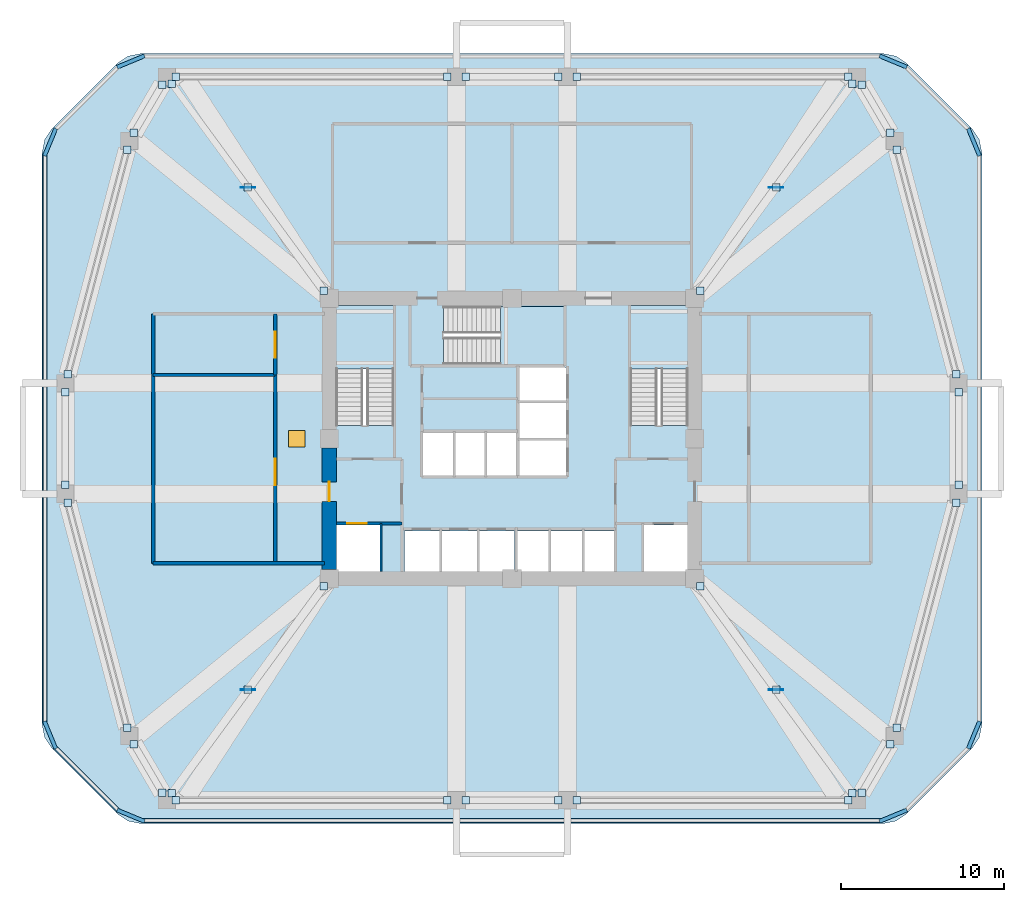
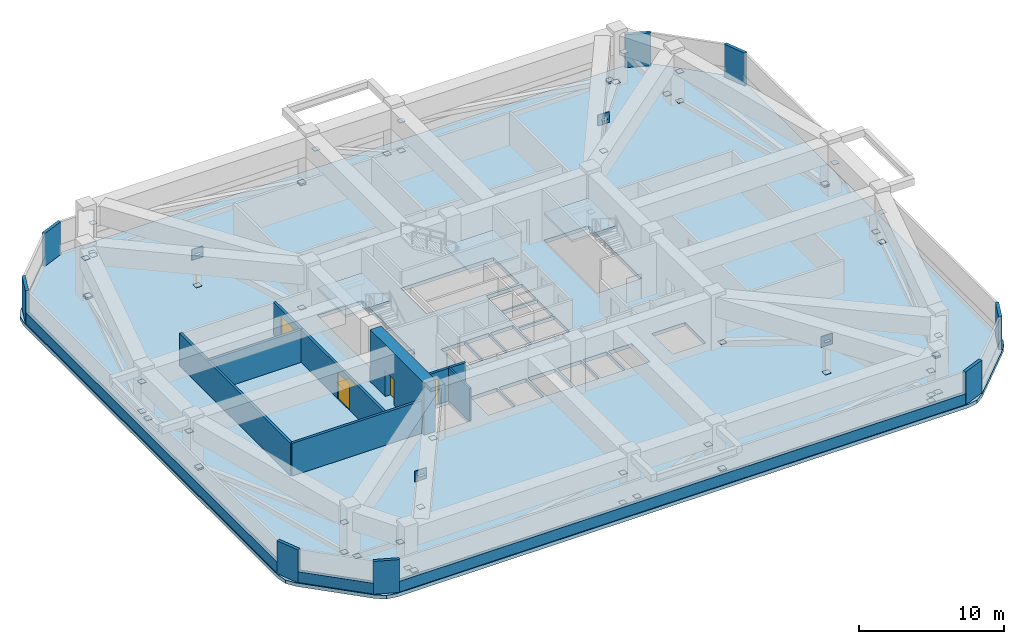
# One storey, part 4 of 10: 76 plates, 11 walls, 5 doors, 4 slabs, 5 openings, 3 elements without a shape of their own.
"""IFC4 building model written with IfcOpenShell, lengths in metres."""

from ifc_helpers import new_model, si_unit, derived_unit, direction, frame, frame_2d, origin, origin_2d, place, context, subcontext, project, spatial, polyline, rectangle, outline, extrude, material, layer, layer_set, type_object, element, fill, aggregate, save


model = new_model("IFC4")

# Units and contexts
model_context = context("Model", 3, precision=1e-05, world=origin(), true_north=direction((0.0, 1.0)))
body_context = subcontext(model_context, "Body", "Model", "MODEL_VIEW")
ifc_project = project(units=[si_unit("LENGTHUNIT", "METRE"), si_unit("AREAUNIT", "SQUARE_METRE"), si_unit("VOLUMEUNIT", "CUBIC_METRE"), si_unit("PLANEANGLEUNIT", "RADIAN"), si_unit("MASSUNIT", "GRAM", prefix="KILO"), derived_unit("THERMALTRANSMITTANCEUNIT", [(si_unit("POWERUNIT", "WATT"), 1), (si_unit("LENGTHUNIT", "METRE"), -2), (si_unit("THERMODYNAMICTEMPERATUREUNIT", "KELVIN"), -1)])], contexts=[model_context])

# Site, building, storey
site_placement = place(None, origin())
site = spatial("IfcSite", under=ifc_project, at=site_placement, CompositionType="ELEMENT")
building_placement = place(site_placement, origin())
building = spatial("IfcBuilding", under=site, at=building_placement, Name="Koralith Skygarden Medical Center", CompositionType="ELEMENT")
storey_placement = place(building_placement, frame((0.0, 0.0, 70.739990234375)))
storey = spatial("IfcBuildingStorey", under=building, at=storey_placement, Name="L18", CompositionType="ELEMENT", Elevation=70.739990234375)

# Stair, slab
ifc_material_1 = material(Name="Concrete C45/55", Category="concrete")
stair_type = type_object("IfcStairType", Name="Core Exit Dogleg Concrete Stair", PredefinedType="HALF_TURN_STAIR", material=ifc_material_1)
stair_1_placement = place(storey_placement, origin())
stair_1 = element("IfcStair", 1, at=stair_1_placement, inside=storey, type_object=stair_type, Name="L18 Smokeproof Exit Stair ST1", PredefinedType="HALF_TURN_STAIR")
ifc_layer_1 = layer(ifc_material_1, 0.199951171875)
ifc_layer_set_1 = layer_set([ifc_layer_1], Name="Concrete C45/55")
slab_type_1 = type_object("IfcSlabType", Name="Core Exit Concrete Stair Landing 200", PredefinedType="LANDING", material=ifc_layer_set_1)
slab_1_placement = place(storey_placement, frame((0.0, 0.0, 2.139892578125)))
slab_1 = element("IfcSlab", 2, at=slab_1_placement, type_object=slab_type_1, Name="ST1 landing 1", PredefinedType="LANDING", context=body_context, shape_type="SweptSolid", body=[
    extrude(outline(polyline([(29.75, 30.179931640625), (29.75, 34.050048828125), (26.199951171875, 34.050048828125), (26.199951171875, 30.179931640625), (29.75, 30.179931640625)])), origin(), (0.0, 0.0, 1.0), 0.2001953125),
])
aggregate(stair_1, [slab_1])

stair_2_placement = place(storey_placement, origin())
stair_2 = element("IfcStair", 3, at=stair_2_placement, inside=storey, type_object=stair_type, Name="L18 Smokeproof Exit Stair ST2", PredefinedType="HALF_TURN_STAIR")
slab_2_placement = place(storey_placement, frame((0.0, 0.0, 2.139892578125)))
slab_2 = element("IfcSlab", 4, at=slab_2_placement, type_object=slab_type_1, Name="ST2 landing 1", PredefinedType="LANDING", context=body_context, shape_type="SweptSolid", body=[
    extrude(outline(polyline([(47.800048828125, 30.179931640625), (47.800048828125, 34.050048828125), (44.25, 34.050048828125), (44.25, 30.179931640625), (47.800048828125, 30.179931640625)])), origin(), (0.0, 0.0, 1.0), 0.2001953125),
])
aggregate(stair_2, [slab_2])

stair_3_placement = place(storey_placement, origin())
stair_3 = element("IfcStair", 5, at=stair_3_placement, inside=storey, type_object=stair_type, Name="L18 Smokeproof Exit Stair ST3", PredefinedType="HALF_TURN_STAIR")
slab_3_placement = place(storey_placement, frame((0.0, 0.0, 2.139892578125)))
slab_3 = element("IfcSlab", 6, at=slab_3_placement, type_object=slab_type_1, Name="ST3 landing 1", PredefinedType="LANDING", context=body_context, shape_type="SweptSolid", body=[
    extrude(outline(polyline([(36.280029296875, 30.449951171875), (40.199951171875, 30.449951171875), (40.199951171875, 34.0), (36.280029296875, 34.0), (36.280029296875, 30.449951171875)])), origin(), (0.0, 0.0, 1.0), 0.2001953125),
])
aggregate(stair_3, [slab_3])

# Plates
ifc_material_2 = material(Name="Steel ASTM A572 Grade 50", Category="steel")
ifc_layer_2 = layer(ifc_material_2, 0.02490234375)
ifc_layer_set_2 = layer_set([ifc_layer_2], Name="Steel ASTM A572 Grade 50")
plate_type_1 = type_object("IfcPlateType", Name="Hollow Section End Cap Plate 25", PredefinedType="SHEET", material=ifc_layer_set_2)
for number, where, z_axis, x_axis, name in (
    (7, (25.462890625, 16.840087890625, 0.337646484375), (0.0, 0.0, 1.0), (1.0, 0.0, 0.0), "L18 Outrigger End Cap 01A"),
    (8, (20.80810546875, 10.498046875, 2.717529296875), (0.0, 0.0, 1.0), (1.0, 0.0, 0.0), "L18 Outrigger Apex Cap 01M"),
    (9, (16.152099609375, 4.155029296875, 0.337646484375), (0.0, 0.0, 1.0), (1.0, 0.0, 0.0), "L18 Outrigger End Cap 01B"),
    (10, (20.80810546875, 10.498046875, 0.007568359375), (0.0, 0.0, 1.0), (1.0, 0.0, 0.0), "L18 Outrigger Post Base Plate 01"),
    (11, (48.537109375, 16.840087890625, 0.337646484375), (0.0, 0.0, 1.0), (1.0, 0.0, 0.0), "L18 Outrigger End Cap 02A"),
    (12, (53.19189453125, 10.498046875, 2.717529296875), (0.0, 0.0, 1.0), (1.0, 0.0, 0.0), "L18 Outrigger Apex Cap 02M"),
    (13, (57.847900390625, 4.155029296875, 0.337646484375), (0.0, 0.0, 1.0), (1.0, 0.0, 0.0), "L18 Outrigger End Cap 02B"),
    (14, (53.19189453125, 10.498046875, 0.007568359375), (0.0, 0.0, 1.0), (1.0, 0.0, 0.0), "L18 Outrigger Post Base Plate 02"),
    (15, (48.537109375, 34.9599609375, 0.337646484375), (0.0, 0.0, 1.0), (1.0, 0.0, 0.0), "L18 Outrigger End Cap 03A"),
    (16, (53.19189453125, 41.302978515625, 2.717529296875), (0.0, 0.0, 1.0), (1.0, 0.0, 0.0), "L18 Outrigger Apex Cap 03M"),
    (17, (57.847900390625, 47.64501953125, 0.337646484375), (0.0, 0.0, 1.0), (1.0, 0.0, 0.0), "L18 Outrigger End Cap 03B"),
    (18, (53.19189453125, 41.302978515625, 0.007568359375), (0.0, 0.0, 1.0), (1.0, 0.0, 0.0), "L18 Outrigger Post Base Plate 03"),
    (19, (25.462890625, 34.9599609375, 0.337646484375), (0.0, 0.0, 1.0), (1.0, 0.0, 0.0), "L18 Outrigger End Cap 04A"),
    (20, (20.80810546875, 41.302978515625, 2.717529296875), (0.0, 0.0, 1.0), (1.0, 0.0, 0.0), "L18 Outrigger Apex Cap 04M"),
    (21, (16.152099609375, 47.64501953125, 0.337646484375), (0.0, 0.0, 1.0), (1.0, 0.0, 0.0), "L18 Outrigger End Cap 04B"),
    (22, (20.80810546875, 41.302978515625, 0.007568359375), (0.0, 0.0, 1.0), (1.0, 0.0, 0.0), "L18 Outrigger Post Base Plate 04"),
    (23, (9.762939453125, 21.958984375, 0.337646484375), (0.0, 0.0, 1.0), (1.0, 0.0, 0.0), "L18 Belt Brace Cap 01A"),
    (24, (13.39697265625, 8.180908203125, 2.717529296875), (0.0, 0.0, 1.0), (1.0, 0.0, 0.0), "L18 Belt Brace Cap 01B"),
    (25, (9.762939453125, 21.958984375, 0.20751953125), (0.0, 0.0, 1.0), (1.0, 0.0, 0.0), "L18 Belt Chord Cap 01A"),
    (26, (13.39697265625, 8.180908203125, 0.20751953125), (0.0, 0.0, 1.0), (1.0, 0.0, 0.0), "L18 Belt Chord Cap 01B"),
    (27, (13.822998046875, 7.156982421875, 0.337646484375), (0.0, 0.0, 1.0), (1.0, 0.0, 0.0), "L18 Belt Brace Cap 02A"),
    (28, (15.549072265625, 4.202880859375, 2.717529296875), (0.0, 0.0, 1.0), (1.0, 0.0, 0.0), "L18 Belt Brace Cap 02B"),
    (29, (16.39208984375, 3.719970703125, 0.337646484375), (0.0, 0.0, 1.0), (1.0, 0.0, 0.0), "L18 Belt Brace Cap 03A"),
    (30, (33.0400390625, 3.719970703125, 2.717529296875), (0.0, 0.0, 1.0), (1.0, 0.0, 0.0), "L18 Belt Brace Cap 03B"),
    (31, (16.39208984375, 3.719970703125, 0.20751953125), (0.0, 0.0, 1.0), (1.0, 0.0, 0.0), "L18 Belt Chord Cap 03A"),
    (32, (33.0400390625, 3.719970703125, 0.20751953125), (0.0, 0.0, 1.0), (1.0, 0.0, 0.0), "L18 Belt Chord Cap 03B"),
    (33, (34.159912109375, 3.719970703125, 0.337646484375), (0.0, 0.0, 1.0), (1.0, 0.0, 0.0), "L18 Belt Brace Cap 04A"),
    (34, (39.840087890625, 3.719970703125, 2.717529296875), (0.0, 0.0, 1.0), (1.0, 0.0, 0.0), "L18 Belt Brace Cap 04B"),
    (35, (40.9599609375, 3.719970703125, 0.337646484375), (0.0, 0.0, 1.0), (1.0, 0.0, 0.0), "L18 Belt Brace Cap 05A"),
    (36, (57.60791015625, 3.719970703125, 2.717529296875), (0.0, 0.0, 1.0), (1.0, 0.0, 0.0), "L18 Belt Brace Cap 05B"),
    (37, (40.9599609375, 3.719970703125, 0.20751953125), (0.0, 0.0, 1.0), (1.0, 0.0, 0.0), "L18 Belt Chord Cap 05A"),
    (38, (57.60791015625, 3.719970703125, 0.20751953125), (0.0, 0.0, 1.0), (1.0, 0.0, 0.0), "L18 Belt Chord Cap 05B"),
    (39, (58.450927734375, 4.202880859375, 0.337646484375), (0.0, 0.0, 1.0), (1.0, 0.0, 0.0), "L18 Belt Brace Cap 06A"),
    (40, (60.177001953125, 7.156982421875, 2.717529296875), (0.0, 0.0, 1.0), (1.0, 0.0, 0.0), "L18 Belt Brace Cap 06B"),
    (41, (60.60302734375, 8.180908203125, 0.337646484375), (0.0, 0.0, 1.0), (1.0, 0.0, 0.0), "L18 Belt Brace Cap 07A"),
    (42, (64.237060546875, 21.958984375, 2.717529296875), (0.0, 0.0, 1.0), (1.0, 0.0, 0.0), "L18 Belt Brace Cap 07B"),
    (43, (60.60302734375, 8.180908203125, 0.20751953125), (0.0, 0.0, 1.0), (1.0, 0.0, 0.0), "L18 Belt Chord Cap 07A"),
    (44, (64.237060546875, 21.958984375, 0.20751953125), (0.0, 0.0, 1.0), (1.0, 0.0, 0.0), "L18 Belt Chord Cap 07B"),
    (45, (64.3798828125, 23.06005859375, 0.337646484375), (0.0, 0.0, 1.0), (1.0, 0.0, 0.0), "L18 Belt Brace Cap 08A"),
    (46, (64.3798828125, 28.739990234375, 2.717529296875), (0.0, 0.0, 1.0), (1.0, 0.0, 0.0), "L18 Belt Brace Cap 08B"),
    (47, (64.237060546875, 29.841064453125, 0.337646484375), (0.0, 0.0, 1.0), (1.0, 0.0, 0.0), "L18 Belt Brace Cap 09A"),
    (48, (60.60302734375, 43.618896484375, 2.717529296875), (0.0, 0.0, 1.0), (1.0, 0.0, 0.0), "L18 Belt Brace Cap 09B"),
    (49, (64.237060546875, 29.841064453125, 0.20751953125), (0.0, 0.0, 1.0), (1.0, 0.0, 0.0), "L18 Belt Chord Cap 09A"),
    (50, (60.60302734375, 43.618896484375, 0.20751953125), (0.0, 0.0, 1.0), (1.0, 0.0, 0.0), "L18 Belt Chord Cap 09B"),
    (51, (60.177001953125, 44.64306640625, 0.337646484375), (0.0, 0.0, 1.0), (1.0, 0.0, 0.0), "L18 Belt Brace Cap 10A"),
    (52, (58.450927734375, 47.596923828125, 2.717529296875), (0.0, 0.0, 1.0), (1.0, 0.0, 0.0), "L18 Belt Brace Cap 10B"),
    (53, (57.60791015625, 48.080078125, 0.337646484375), (0.0, 0.0, 1.0), (1.0, 0.0, 0.0), "L18 Belt Brace Cap 11A"),
    (54, (40.9599609375, 48.080078125, 2.717529296875), (0.0, 0.0, 1.0), (1.0, 0.0, 0.0), "L18 Belt Brace Cap 11B"),
    (55, (57.60791015625, 48.080078125, 0.20751953125), (0.0, 0.0, 1.0), (1.0, 0.0, 0.0), "L18 Belt Chord Cap 11A"),
    (56, (40.9599609375, 48.080078125, 0.20751953125), (0.0, 0.0, 1.0), (1.0, 0.0, 0.0), "L18 Belt Chord Cap 11B"),
    (57, (39.840087890625, 48.080078125, 0.337646484375), (0.0, 0.0, 1.0), (1.0, 0.0, 0.0), "L18 Belt Brace Cap 12A"),
    (58, (34.159912109375, 48.080078125, 2.717529296875), (0.0, 0.0, 1.0), (1.0, 0.0, 0.0), "L18 Belt Brace Cap 12B"),
    (59, (33.0400390625, 48.080078125, 0.337646484375), (0.0, 0.0, 1.0), (1.0, 0.0, 0.0), "L18 Belt Brace Cap 13A"),
    (60, (16.39208984375, 48.080078125, 2.717529296875), (0.0, 0.0, 1.0), (1.0, 0.0, 0.0), "L18 Belt Brace Cap 13B"),
    (61, (33.0400390625, 48.080078125, 0.20751953125), (0.0, 0.0, 1.0), (1.0, 0.0, 0.0), "L18 Belt Chord Cap 13A"),
    (62, (16.39208984375, 48.080078125, 0.20751953125), (0.0, 0.0, 1.0), (1.0, 0.0, 0.0), "L18 Belt Chord Cap 13B"),
    (63, (15.549072265625, 47.596923828125, 0.337646484375), (0.0, 0.0, 1.0), (1.0, 0.0, 0.0), "L18 Belt Brace Cap 14A"),
    (64, (13.822998046875, 44.64306640625, 2.717529296875), (0.0, 0.0, 1.0), (1.0, 0.0, 0.0), "L18 Belt Brace Cap 14B"),
    (65, (13.39697265625, 43.618896484375, 0.337646484375), (0.0, 0.0, 1.0), (1.0, 0.0, 0.0), "L18 Belt Brace Cap 15A"),
    (66, (9.762939453125, 29.841064453125, 2.717529296875), (0.0, 0.0, 1.0), (1.0, 0.0, 0.0), "L18 Belt Brace Cap 15B"),
    (67, (13.39697265625, 43.618896484375, 0.20751953125), (0.0, 0.0, 1.0), (1.0, 0.0, 0.0), "L18 Belt Chord Cap 15A"),
    (68, (9.762939453125, 29.841064453125, 0.20751953125), (0.0, 0.0, 1.0), (1.0, 0.0, 0.0), "L18 Belt Chord Cap 15B"),
    (69, (9.6201171875, 28.739990234375, 0.337646484375), (0.0, 0.0, 1.0), (1.0, 0.0, 0.0), "L18 Belt Brace Cap 16A"),
    (70, (9.6201171875, 23.06005859375, 2.717529296875), (0.0, 0.0, 1.0), (1.0, 0.0, 0.0), "L18 Belt Brace Cap 16B"),
):
    element("IfcPlate", number, at=place(storey_placement, frame(where, z_axis=z_axis, x_axis=x_axis)), inside=storey, type_object=plate_type_1, Name=name, PredefinedType="SHEET", context=body_context, shape_type="SweptSolid", body=[
        extrude(rectangle(XDim=0.4599609375, YDim=0.4599609375, at=origin_2d()), origin(), (0.0, 0.0, 1.0), 0.02490234375),
    ])
ifc_layer_3 = layer(ifc_material_2, 0.0400390625)
ifc_layer_set_3 = layer_set([ifc_layer_3], Name="Steel ASTM A572 Grade 50")
plate_type_2 = type_object("IfcPlateType", Name="Outrigger Truss Gusset Plate 40", PredefinedType="USERDEFINED", material=ifc_layer_set_3)
for number, where, z_axis, x_axis, name in (
    (71, (20.80810546875, 10.498046875, 2.280029296875), (0.0, 0.0, 1.0), (1.0, 0.0, 0.0), "L18 Outrigger Node Gusset Plate ORG-01"),
    (72, (53.19189453125, 10.498046875, 2.280029296875), (0.0, 0.0, 1.0), (1.0, 0.0, 0.0), "L18 Outrigger Node Gusset Plate ORG-02"),
    (73, (53.19189453125, 41.302978515625, 2.280029296875), (0.0, 0.0, 1.0), (1.0, 0.0, 0.0), "L18 Outrigger Node Gusset Plate ORG-03"),
    (74, (20.80810546875, 41.302978515625, 2.280029296875), (0.0, 0.0, 1.0), (1.0, 0.0, 0.0), "L18 Outrigger Node Gusset Plate ORG-04"),
):
    element("IfcPlate", number, at=place(storey_placement, frame(where, z_axis=z_axis, x_axis=x_axis)), inside=storey, type_object=plate_type_2, Name=name, ObjectType="GUSSET_PLATE", PredefinedType="USERDEFINED", context=body_context, shape_type="SweptSolid", body=[
        extrude(rectangle(XDim=0.89990234375, YDim=0.0400390625, at=origin_2d()), origin(), (0.0, 0.0, 1.0), 0.89990234375),
    ])

# Slab, opening, door
ifc_layer_4 = layer(ifc_material_1, 0.300048828125)
ifc_layer_set_4 = layer_set([ifc_layer_4], Name="Concrete C45/55")
slab_type_2 = type_object("IfcSlabType", Name="Podium & Diagnostic Stiffened Slab 300", PredefinedType="FLOOR", material=ifc_layer_set_4)
slab_4_placement = place(storey_placement, frame((0.0, 0.0, -0.300048828125)))
slab_4 = element("IfcSlab", 75, at=slab_4_placement, inside=storey, type_object=slab_type_2, Name="Level L18 Structural Floor Slab", PredefinedType="FLOOR", context=body_context, shape_type="SweptSolid", body=[
    extrude(outline(polyline([(12.81396484375, 2.885986328125), (13.462890625, 2.451904296875), (14.22802734375, 2.300048828125), (59.77197265625, 2.300048828125), (60.537109375, 2.451904296875), (61.18603515625, 2.885986328125), (65.214111328125, 6.9140625), (65.64794921875, 7.56298828125), (65.800048828125, 8.327880859375), (65.800048828125, 43.471923828125), (65.64794921875, 44.237060546875), (65.214111328125, 44.885986328125), (61.18603515625, 48.9140625), (60.537109375, 49.347900390625), (59.77197265625, 49.5), (14.22802734375, 49.5), (13.462890625, 49.347900390625), (12.81396484375, 48.9140625), (8.785888671875, 44.885986328125), (8.35205078125, 44.237060546875), (8.199951171875, 43.471923828125), (8.199951171875, 8.327880859375), (8.35205078125, 7.56298828125), (8.785888671875, 6.9140625), (12.81396484375, 2.885986328125)]), holes=[polyline([(26.199951171875, 26.705078125), (29.75, 26.705078125), (29.75, 34.050048828125), (26.199951171875, 34.050048828125), (26.199951171875, 26.705078125)]), polyline([(44.25, 26.705078125), (47.800048828125, 26.705078125), (47.800048828125, 34.050048828125), (44.25, 34.050048828125), (44.25, 26.705078125)]), polyline([(32.804931640625, 30.449951171875), (40.199951171875, 30.449951171875), (40.199951171875, 34.0), (32.804931640625, 34.0), (32.804931640625, 30.449951171875)]), polyline([(26.25, 17.75), (28.89990234375, 17.75), (28.89990234375, 20.60009765625), (26.25, 20.60009765625), (26.25, 17.75)]), polyline([(45.10009765625, 17.75), (47.75, 17.75), (47.75, 20.60009765625), (45.10009765625, 20.60009765625), (45.10009765625, 17.75)]), polyline([(30.39990234375, 17.75), (32.550048828125, 17.75), (32.550048828125, 20.25), (30.39990234375, 20.25), (30.39990234375, 17.75)]), polyline([(32.699951171875, 17.75), (34.85009765625, 17.75), (34.85009765625, 20.25), (32.699951171875, 20.25), (32.699951171875, 17.75)]), polyline([(35.0, 17.75), (37.14990234375, 17.75), (37.14990234375, 20.25), (35.0, 20.25), (35.0, 17.75)]), polyline([(37.35009765625, 17.75), (39.25, 17.75), (39.25, 20.25), (37.35009765625, 20.25), (37.35009765625, 17.75)]), polyline([(39.39990234375, 17.75), (41.300048828125, 17.75), (41.300048828125, 20.25), (39.39990234375, 20.25), (39.39990234375, 17.75)]), polyline([(41.449951171875, 17.75), (43.300048828125, 17.75), (43.300048828125, 20.25), (41.449951171875, 20.25), (41.449951171875, 17.75)]), polyline([(31.550048828125, 23.64990234375), (33.39990234375, 23.64990234375), (33.39990234375, 26.25), (31.550048828125, 26.25), (31.550048828125, 23.64990234375)]), polyline([(33.5, 23.64990234375), (35.35009765625, 23.64990234375), (35.35009765625, 26.25), (33.5, 26.25), (33.5, 23.64990234375)]), polyline([(35.449951171875, 23.64990234375), (37.300048828125, 23.64990234375), (37.300048828125, 26.25), (35.449951171875, 26.25), (35.449951171875, 23.64990234375)]), polyline([(37.449951171875, 23.64990234375), (40.300048828125, 23.64990234375), (40.300048828125, 25.800048828125), (37.449951171875, 25.800048828125), (37.449951171875, 23.64990234375)]), polyline([(37.449951171875, 25.949951171875), (40.300048828125, 25.949951171875), (40.300048828125, 28.10009765625), (37.449951171875, 28.10009765625), (37.449951171875, 25.949951171875)]), polyline([(37.449951171875, 28.25), (40.300048828125, 28.25), (40.300048828125, 30.25), (37.449951171875, 30.25), (37.449951171875, 28.25)])]), origin(), (0.0, 0.0, 1.0), 0.300048828125),
])
opening_1_placement = place(slab_4_placement, frame((23.800048828125, 25.89990234375, -0.010009765625)))
opening_1 = element("IfcOpeningElement", 76, at=opening_1_placement, cuts=slab_4, Name="Opening D-HAT", PredefinedType="OPENING", context=body_context, shape_type="SweptSolid", body=[
    extrude(rectangle(XDim=1.0, YDim=1.0, at=origin_2d()), origin(), (0.0, 0.0, 1.0), 0.320068359375),
])
ifc_material_3 = material(Name="Steel ASTM A500 Grade C", Category="steel")
door_type_1 = type_object("IfcDoorType", Name="Roof & Shaft Maintenance Access Hatch H-RF 1000", OperationType="NOTDEFINED", PredefinedType="TRAPDOOR", material=ifc_material_3)
door_1_placement = place(opening_1_placement, frame((0.0, 0.0, 0.2900390625)))
door_1 = element("IfcDoor", 77, at=door_1_placement, inside=storey, type_object=door_type_1, Name="L18 Service Access Hatch H-02", OperationType="SINGLE_SWING_LEFT", OverallHeight=1.0, OverallWidth=1.0, PredefinedType="TRAPDOOR", context=body_context, shape_type="SweptSolid", body=[
    extrude(rectangle(XDim=1.0, YDim=1.0, at=origin_2d()), origin(), (0.0, 0.0, 1.0), 0.02001953125),
])
fill(opening_1, door_1)

# Plates
ifc_material_4 = material(Name="Warm Oolitic Limestone Cladding", Category="masonry")
ifc_layer_5 = layer(ifc_material_4, 0.239990234375)
ifc_layer_set_5 = layer_set([ifc_layer_5], Name="Warm Oolitic Limestone Cladding")
plate_type_3 = type_object("IfcPlateType", Name="Rounded-Corner Oolitic Limestone Cladding Panel 240", PredefinedType="USERDEFINED", material=ifc_layer_set_5)
for number, where, z_axis, x_axis, name in (
    (78, (60.3701171875, 2.780029296875, 0.0), (0.0, 0.0, 1.0), (0.92388487569, 0.382670532536, 0.0), "L18 Rounded-Corner Limestone Pier 1"),
    (79, (65.320068359375, 7.72900390625, 0.0), (0.0, 0.0, 1.0), (0.382670532536, 0.92388487569, 0.0), "L18 Rounded-Corner Limestone Pier 2"),
    (80, (65.320068359375, 44.070068359375, 0.0), (0.0, 0.0, 1.0), (-0.382670532536, 0.92388487569, 0.0), "L18 Rounded-Corner Limestone Pier 3"),
    (81, (60.3701171875, 49.02001953125, 0.0), (0.0, 0.0, 1.0), (-0.92388487569, 0.382670532536, 0.0), "L18 Rounded-Corner Limestone Pier 4"),
    (82, (13.6298828125, 49.02001953125, 0.0), (0.0, 0.0, 1.0), (-0.92388487569, -0.382670532536, 0.0), "L18 Rounded-Corner Limestone Pier 5"),
    (83, (8.680908203125, 44.070068359375, 0.0), (0.0, 0.0, 1.0), (-0.382670532536, -0.92388487569, 0.0), "L18 Rounded-Corner Limestone Pier 6"),
    (84, (8.680908203125, 7.72900390625, 0.0), (0.0, 0.0, 1.0), (0.382670532536, -0.92388487569, 0.0), "L18 Rounded-Corner Limestone Pier 7"),
    (85, (13.6298828125, 2.780029296875, 0.0), (0.0, 0.0, 1.0), (0.92388487569, -0.382670532536, 0.0), "L18 Rounded-Corner Limestone Pier 8"),
):
    element("IfcPlate", number, at=place(storey_placement, frame(where, z_axis=z_axis, x_axis=x_axis)), inside=storey, type_object=plate_type_3, Name=name, ObjectType="LIMESTONE CLADDING", PredefinedType="USERDEFINED", context=body_context, shape_type="SweptSolid", body=[
        extrude(rectangle(XDim=1.81103515625, YDim=0.239990234375, at=origin_2d()), origin(), (0.0, 0.0, 1.0), 2.77001953125),
    ])

# Wall, opening, door
ifc_material_5 = material(Name="Gypsum Board Partition")
ifc_layer_6 = layer(ifc_material_5, 0.199951171875)
ifc_layer_set_6 = layer_set([ifc_layer_6], Name="Gypsum Board Partition")
wall_type_1 = type_object("IfcWallType", Name="Fire Shaft Wall 200", PredefinedType="SOLIDWALL", material=ifc_layer_set_6)
wall_1_placement = place(storey_placement, frame((26.25, 20.699951171875, 0.0), z_axis=(0.0, 0.0, 1.0), x_axis=(1.0, 0.0, 0.0)))
wall_1 = element("IfcWall", 86, at=wall_1_placement, inside=storey, type_object=wall_type_1, Name="L18 Fire Shaft Wall 200 W-CORE-L18-FF1-N", PredefinedType="SOLIDWALL", context=body_context, shape_type="SweptSolid", body=[
    extrude(rectangle(XDim=4.0, YDim=0.199951171875, at=frame_2d((2.0, 0.0))), origin(), (0.0, 0.0, 1.0), 2.75),
])
opening_2_placement = place(wall_1_placement, frame((0.64990234375, 0.0, 0.0)))
opening_2 = element("IfcOpeningElement", 87, at=opening_2_placement, cuts=wall_1, Name="Opening LD-FF", PredefinedType="OPENING", context=body_context, shape_type="SweptSolid", body=[
    extrude(rectangle(XDim=1.199951171875, YDim=2.14990234375, at=frame_2d((0.60009765625, 1.074951171875))), frame((0.0, 0.10986328125, 0.0), z_axis=(0.0, -1.0, 0.0), x_axis=(1.0, 0.0, 0.0)), (0.0, 0.0, 1.0), 0.219970703125),
])
door_type_2 = type_object("IfcDoorType", Name="Fire Lift Sliding Landing Door LD-FF 1200", OperationType="NOTDEFINED", PredefinedType="DOOR", material=ifc_material_3)
door_2_placement = place(opening_2_placement, origin())
door_2 = element("IfcDoor", 88, at=door_2_placement, inside=storey, type_object=door_type_2, Name="L18 Fire Service Elevator FF1 Landing Door", OperationType="SLIDING_TO_LEFT", OverallHeight=2.14990234375, OverallWidth=1.199951171875, PredefinedType="DOOR", context=body_context, shape_type="SweptSolid", body=[
    extrude(rectangle(XDim=1.199951171875, YDim=2.14990234375, at=frame_2d((0.60009765625, 1.074951171875))), frame((0.0, 0.02490234375, 0.0), z_axis=(0.0, -1.0, 0.0), x_axis=(1.0, 0.0, 0.0)), (0.0, 0.0, 1.0), 0.050048828125),
])
fill(opening_2, door_2)

# Walls
wall_2_placement = place(storey_placement, frame((15.0, 18.25, 0.0), z_axis=(0.0, 0.0, 1.0), x_axis=(1.0, 0.0, 0.0)))
element("IfcWall", 89, at=wall_2_placement, inside=storey, type_object=wall_type_1, Name="L18 Fire Shaft Wall 200 W-PL-L18-WC-S", PredefinedType="SOLIDWALL", context=body_context, shape_type="SweptSolid", body=[
    extrude(rectangle(XDim=10.5, YDim=0.199951171875, at=frame_2d((5.25, 0.0))), origin(), (0.0, 0.0, 1.0), 2.75),
])
wall_3_placement = place(storey_placement, frame((15.0, 18.25, 0.0), z_axis=(0.0, 0.0, 1.0), x_axis=(0.0, 1.0, 0.0)))
element("IfcWall", 90, at=wall_3_placement, inside=storey, type_object=wall_type_1, Name="L18 Fire Shaft Wall 200 W-PL-L18-WP-W", PredefinedType="SOLIDWALL", context=body_context, shape_type="SweptSolid", body=[
    extrude(rectangle(XDim=15.300048828125, YDim=0.199951171875, at=frame_2d((7.64990234375, 0.0))), origin(), (0.0, 0.0, 1.0), 2.75),
])
wall_4_placement = place(storey_placement, frame((15.0, 29.800048828125, 0.0), z_axis=(0.0, 0.0, 1.0), x_axis=(1.0, 0.0, 0.0)))
element("IfcWall", 91, at=wall_4_placement, inside=storey, type_object=wall_type_1, Name="L18 Fire Shaft Wall 200 W-PL-L18-WP-M", PredefinedType="SOLIDWALL", context=body_context, shape_type="SweptSolid", body=[
    extrude(rectangle(XDim=7.47998046875, YDim=0.199951171875, at=frame_2d((3.739990234375, 0.0))), origin(), (0.0, 0.0, 1.0), 2.75),
])

# Wall, opening, door
wall_5_placement = place(storey_placement, frame((22.47998046875, 18.25, 0.0), z_axis=(0.0, 0.0, 1.0), x_axis=(0.0, 1.0, 0.0)))
wall_5 = element("IfcWall", 92, at=wall_5_placement, inside=storey, type_object=wall_type_1, Name="L18 Fire Shaft Wall 200 W-PL-L18-WC-W1", PredefinedType="SOLIDWALL", context=body_context, shape_type="SweptSolid", body=[
    extrude(rectangle(XDim=11.550048828125, YDim=0.199951171875, at=frame_2d((5.77490234375, 0.0))), origin(), (0.0, 0.0, 1.0), 2.75),
])
opening_3_placement = place(wall_5_placement, frame((4.800048828125, 0.0, 0.0)))
opening_3 = element("IfcOpeningElement", 93, at=opening_3_placement, cuts=wall_5, Name="Opening D-DBL", PredefinedType="OPENING", context=body_context, shape_type="SweptSolid", body=[
    extrude(rectangle(XDim=1.60009765625, YDim=2.199951171875, at=frame_2d((0.800048828125, 1.10009765625))), frame((0.0, 0.10986328125, 0.0), z_axis=(0.0, -1.0, 0.0), x_axis=(1.0, 0.0, 0.0)), (0.0, 0.0, 1.0), 0.219970703125),
])
ifc_material_6 = material(Name="Aluminium 6063-T6", Category="aluminium")
door_type_3 = type_object("IfcDoorType", Name="Double Clinical Suite Door D-DBL 1600", OperationType="NOTDEFINED", PredefinedType="DOOR", material=ifc_material_6)
door_3_placement = place(opening_3_placement, frame((1.60009765625, 0.0, 0.0), z_axis=(0.0, 0.0, 1.0), x_axis=(-1.0, 0.0, 0.0)))
door_3 = element("IfcDoor", 94, at=door_3_placement, inside=storey, type_object=door_type_3, Name="L18 West Pressurized Smoke Refuge Area Fire Door", OperationType="DOUBLE_DOOR_SINGLE_SWING", OverallHeight=2.199951171875, OverallWidth=1.60009765625, PredefinedType="DOOR", context=body_context, shape_type="SweptSolid", body=[
    extrude(rectangle(XDim=1.60009765625, YDim=2.199951171875, at=frame_2d((0.800048828125, 1.10009765625))), frame((0.0, 0.02490234375, 0.0), z_axis=(0.0, -1.0, 0.0), x_axis=(1.0, 0.0, 0.0)), (0.0, 0.0, 1.0), 0.050048828125),
])
fill(opening_3, door_3)

wall_6_placement = place(storey_placement, frame((22.47998046875, 29.800048828125, 0.0), z_axis=(0.0, 0.0, 1.0), x_axis=(0.0, 1.0, 0.0)))
wall_6 = element("IfcWall", 95, at=wall_6_placement, inside=storey, type_object=wall_type_1, Name="L18 Fire Shaft Wall 200 W-PL-L18-WC-W2", PredefinedType="SOLIDWALL", context=body_context, shape_type="SweptSolid", body=[
    extrude(rectangle(XDim=3.75, YDim=0.199951171875, at=frame_2d((1.875, 0.0))), origin(), (0.0, 0.0, 1.0), 2.75),
])
opening_4_placement = place(wall_6_placement, frame((1.050048828125, 0.0, 0.0)))
opening_4 = element("IfcOpeningElement", 96, at=opening_4_placement, cuts=wall_6, Name="Opening D-DBL", PredefinedType="OPENING", context=body_context, shape_type="SweptSolid", body=[
    extrude(rectangle(XDim=1.60009765625, YDim=2.199951171875, at=frame_2d((0.800048828125, 1.10009765625))), frame((0.0, 0.10986328125, 0.0), z_axis=(0.0, -1.0, 0.0), x_axis=(1.0, 0.0, 0.0)), (0.0, 0.0, 1.0), 0.219970703125),
])
door_4_placement = place(opening_4_placement, frame((1.60009765625, 0.0, 0.0), z_axis=(0.0, 0.0, 1.0), x_axis=(-1.0, 0.0, 0.0)))
door_4 = element("IfcDoor", 97, at=door_4_placement, inside=storey, type_object=door_type_3, Name="L18 Fire Reserve Water Booster and BMS Plant Room Fire Door", OperationType="DOUBLE_DOOR_SINGLE_SWING", OverallHeight=2.199951171875, OverallWidth=1.60009765625, PredefinedType="DOOR", context=body_context, shape_type="SweptSolid", body=[
    extrude(rectangle(XDim=1.60009765625, YDim=2.199951171875, at=frame_2d((0.800048828125, 1.10009765625))), frame((0.0, 0.02490234375, 0.0), z_axis=(0.0, -1.0, 0.0), x_axis=(1.0, 0.0, 0.0)), (0.0, 0.0, 1.0), 0.050048828125),
])
fill(opening_4, door_4)

# Walls
ifc_layer_7 = layer(ifc_material_4, 0.239990234375)
ifc_layer_set_7 = layer_set([ifc_layer_7], Name="Warm Oolitic Limestone Cladding")
wall_type_2 = type_object("IfcWallType", Name="Limestone Spandrel Sill Backup Wall 240", PredefinedType="SOLIDWALL", material=ifc_layer_set_7)
wall_7_placement = place(storey_placement, frame((14.35498046875, 2.47998046875, 0.0), z_axis=(0.0, 0.0, 1.0), x_axis=(1.0, 0.0, 0.0)))
element("IfcWall", 98, at=wall_7_placement, inside=storey, type_object=wall_type_2, Name="L18 Plant Sill Backup Wall S", PredefinedType="SOLIDWALL", context=body_context, shape_type="SweptSolid", body=[
    extrude(rectangle(XDim=45.2900390625, YDim=0.239990234375, at=frame_2d((22.64501953125, 0.0))), origin(), (0.0, 0.0, 1.0), 0.89990234375),
])
wall_8_placement = place(storey_placement, frame((8.3798828125, 43.344970703125, 0.0), z_axis=(0.0, 0.0, 1.0), x_axis=(0.0, -1.0, 0.0)))
element("IfcWall", 99, at=wall_8_placement, inside=storey, type_object=wall_type_2, Name="L18 Plant Sill Backup Wall W", PredefinedType="SOLIDWALL", context=body_context, shape_type="SweptSolid", body=[
    extrude(rectangle(XDim=34.889892578125, YDim=0.239990234375, at=frame_2d((17.44482421875, 0.0))), origin(), (0.0, 0.0, 1.0), 0.89990234375),
])
wall_9_placement = place(storey_placement, frame((8.98095703125, 7.00390625, 0.0), z_axis=(0.0, 0.0, 1.0), x_axis=(0.707128783731, -0.707084777957, 0.0)))
element("IfcWall", 100, at=wall_9_placement, inside=storey, type_object=wall_type_2, Name="L18 Plant Sill Backup Wall SW", PredefinedType="SOLIDWALL", context=body_context, shape_type="SweptSolid", body=[
    extrude(rectangle(XDim=5.5478515625, YDim=0.239990234375, at=frame_2d((2.77392578125, 0.0))), origin(), (0.0, 0.0, 1.0), 0.89990234375),
])

# Wall, opening, door
ifc_material_7 = material(Name="Concrete C70/85", Category="concrete")
ifc_layer_8 = layer(ifc_material_7, 0.89990234375)
ifc_layer_set_8 = layer_set([ifc_layer_8], Name="Concrete C70/85")
wall_type_3 = type_object("IfcWallType", Name="Lower Core Shear Wall 900", PredefinedType="SHEAR", material=ifc_layer_set_8)
wall_10_placement = place(storey_placement, frame((25.800048828125, 25.3349609375, 0.0), z_axis=(0.0, 0.0, 1.0), x_axis=(0.0, -1.0, 0.0)))
wall_10 = element("IfcWall", 101, at=wall_10_placement, inside=storey, type_object=wall_type_3, Name="L18 Core Shear Wall Segment 8", PredefinedType="SHEAR", context=body_context, shape_type="SweptSolid", body=[
    extrude(rectangle(XDim=7.469970703125, YDim=0.89990234375, at=frame_2d((3.73486328125, 0.0))), origin(), (0.0, 0.0, 1.0), 4.380126953125),
])
opening_5_placement = place(wall_10_placement, frame((2.0849609375, 0.0, 0.0)))
opening_5 = element("IfcOpeningElement", 102, at=opening_5_placement, cuts=wall_10, Name="Opening D-ST60", PredefinedType="OPENING", context=body_context, shape_type="SweptSolid", body=[
    extrude(rectangle(XDim=1.199951171875, YDim=2.14990234375, at=frame_2d((0.60009765625, 1.074951171875))), frame((0.0, 0.4599609375, 0.0), z_axis=(0.0, -1.0, 0.0), x_axis=(1.0, 0.0, 0.0)), (0.0, 0.0, 1.0), 0.919921875),
])
door_type_4 = type_object("IfcDoorType", Name="Smokeproof Stair Fire Door FD60S 1200", OperationType="NOTDEFINED", PredefinedType="DOOR", material=ifc_material_3)
door_5_placement = place(opening_5_placement, frame((1.199951171875, 0.0, 0.0), z_axis=(0.0, 0.0, 1.0), x_axis=(-1.0, 0.0, 0.0)))
door_5 = element("IfcDoor", 103, at=door_5_placement, inside=storey, type_object=door_type_4, Name="L18 West Corridor to Firefighting Lobby Door", OperationType="SINGLE_SWING_LEFT", OverallHeight=2.14990234375, OverallWidth=1.199951171875, PredefinedType="DOOR", context=body_context, shape_type="SweptSolid", body=[
    extrude(rectangle(XDim=1.199951171875, YDim=2.14990234375, at=frame_2d((0.60009765625, 1.074951171875))), frame((0.0, 0.02490234375, 0.0), z_axis=(0.0, -1.0, 0.0), x_axis=(1.0, 0.0, 0.0)), (0.0, 0.0, 1.0), 0.050048828125),
])
fill(opening_5, door_5)

# Wall
ifc_layer_9 = layer(ifc_material_5, 0.14990234375)
ifc_layer_set_9 = layer_set([ifc_layer_9], Name="Gypsum Board Partition")
wall_type_4 = type_object("IfcWallType", Name="Shaft Partition Wall 150", PredefinedType="PARTITIONING", material=ifc_layer_set_9)
wall_11_placement = place(storey_placement, frame((28.969970703125, 17.75, 0.0), z_axis=(0.0, 0.0, 1.0), x_axis=(0.0, 1.0, 0.0)))
element("IfcWall", 104, at=wall_11_placement, inside=storey, type_object=wall_type_4, Name="L18 Shaft Partition Wall 150 W-CORE-L18-RSRW-DIV", PredefinedType="PARTITIONING", context=body_context, shape_type="SweptSolid", body=[
    extrude(rectangle(XDim=2.949951171875, YDim=0.14990234375, at=frame_2d((1.47509765625, 0.0))), origin(), (0.0, 0.0, 1.0), 2.75),
])

save(model, "model.ifc")
